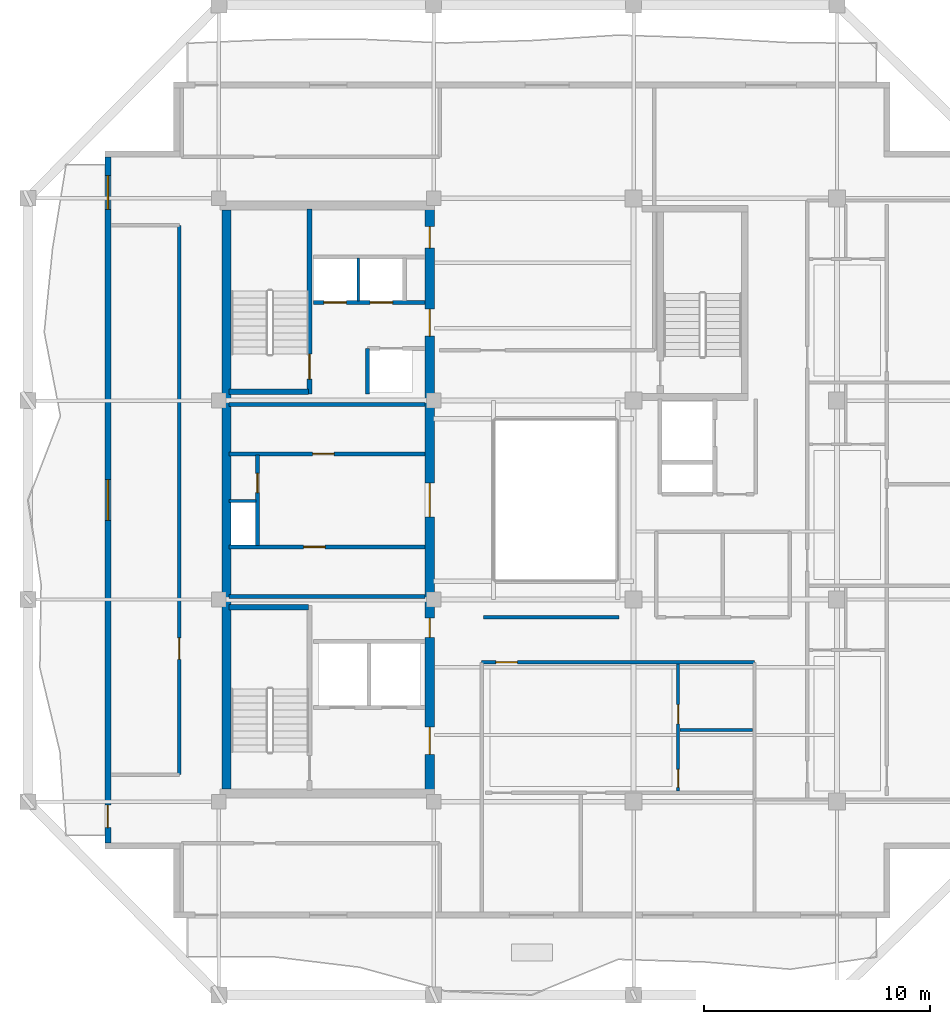
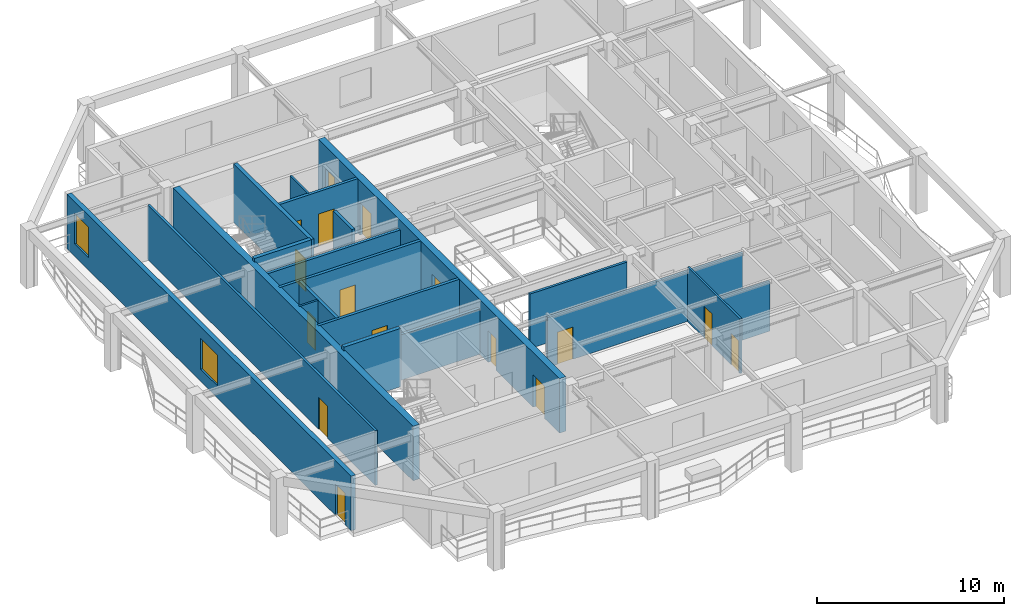
# One storey, part 3 of 10: 20 walls, 16 doors, 2 windows, 18 openings.
"""IFC4 building model written with IfcOpenShell, lengths in metres."""

import ifcopenshell
import ifcopenshell.guid

model = None  # the IFC model being written
_history = None  # IfcOwnerHistory: only IFC2X3 demands one
_inside = {}  # id of a spatial element -> (the spatial element, [elements in it])
_under = {}  # id of a project, library or spatial element -> (it, [spatial elements below it])
_declared = {}  # id of a project -> (the project, [libraries it declares])
_typed = {}  # id of a type object -> (the type object, [elements of that type])
_made_of = {}  # id of a material, layer set ... -> (it, [elements and type objects made of it])


def new_model(schema):
    """Start an empty IFC model of exactly this schema.

    Asked for "IFC4X3", IfcOpenShell would pick the latest addendum, in which some entities
    have other attributes; the version numbers below select the first issue.
    IFC2X3 requires an IfcOwnerHistory on every rooted entity: one is made here for all.
    """
    global model, _history
    if schema == "IFC4X3":
        model = ifcopenshell.file(schema_version=(4, 3, 0, 0))
    else:
        model = ifcopenshell.file(schema=schema)
    _inside.clear()
    _under.clear()
    _declared.clear()
    _typed.clear()
    _made_of.clear()
    _history = None
    if model.schema == "IFC2X3":
        org = make("IfcOrganization", Name="unknown")
        user = make(
            "IfcPersonAndOrganization",
            ThePerson=make("IfcPerson", FamilyName="unknown"),
            TheOrganization=org,
        )
        app = make(
            "IfcApplication",
            ApplicationDeveloper=org,
            Version="unknown",
            ApplicationFullName="unknown",
            ApplicationIdentifier="unknown",
        )
        _history = make(
            "IfcOwnerHistory",
            OwningUser=user,
            OwningApplication=app,
            ChangeAction="ADDED",
            CreationDate=0,
        )
    return model


def make(cls, **values):
    """One entity of the class cls with the attributes given. An attribute that is None is left unset."""
    return model.create_entity(
        cls, **{name: value for name, value in values.items() if value is not None}
    )


def rooted(cls, **values):
    """An entity with a GlobalId (a new one), such as an element, a storey or a relation."""
    return make(cls, GlobalId=ifcopenshell.guid.new(), OwnerHistory=_history, **values)


def si_unit(unit_type, name, prefix=None):
    """IfcSIUnit, for example si_unit("LENGTHUNIT", "METRE", prefix="MILLI")."""
    return make("IfcSIUnit", UnitType=unit_type, Prefix=prefix, Name=name)


def assignment(units):
    """IfcUnitAssignment: the units of a project."""
    return None if units is None else make("IfcUnitAssignment", Units=units)


def point(xyz):
    """IfcCartesianPoint."""
    return None if xyz is None else make("IfcCartesianPoint", Coordinates=xyz)


def direction(xyz):
    """IfcDirection."""
    return None if xyz is None else make("IfcDirection", DirectionRatios=xyz)


def frame(location, z_axis=None, x_axis=None):
    """IfcAxis2Placement3D, a coordinate frame: its origin and axes. An axis left out is left unset."""
    return make(
        "IfcAxis2Placement3D",
        Location=point(location),
        Axis=direction(z_axis),
        RefDirection=direction(x_axis),
    )


def frame_2d(location, x_axis=None):
    """IfcAxis2Placement2D, a coordinate frame in the plane: its origin and x axis."""
    return make(
        "IfcAxis2Placement2D", Location=point(location), RefDirection=direction(x_axis)
    )


def origin():
    """The frame at (0, 0, 0) with its axes left unset."""
    return frame((0.0, 0.0, 0.0))


def place(relative_to, where):
    """IfcLocalPlacement: puts the frame where relative to a parent placement (None: the world)."""
    return make(
        "IfcLocalPlacement", PlacementRelTo=relative_to, RelativePlacement=where
    )


def context(
    kind, dimensions, precision=None, world=None, true_north=None, identifier=None
):
    """IfcGeometricRepresentationContext, for example the 3D "Model" context."""
    return make(
        "IfcGeometricRepresentationContext",
        ContextIdentifier=identifier,
        ContextType=kind,
        CoordinateSpaceDimension=dimensions,
        Precision=precision,
        WorldCoordinateSystem=world,
        TrueNorth=true_north,
    )


def subcontext(parent, identifier, kind, view, scale=None):
    """IfcGeometricRepresentationSubContext, for example "Body" below "Model"."""
    return make(
        "IfcGeometricRepresentationSubContext",
        ContextIdentifier=identifier,
        ContextType=kind,
        ParentContext=parent,
        TargetScale=scale,
        TargetView=view,
    )


def project(units=None, contexts=None):
    """IfcProject with its units and contexts."""
    return rooted(
        "IfcProject",
        Name="project",
        RepresentationContexts=contexts,
        UnitsInContext=assignment(units),
    )


def spatial(cls, under=None, at=None, **own):
    """A site, building, storey or space (cls), placed at a placement, below another one or the project."""
    s = rooted(cls, ObjectPlacement=at, **own)
    if under is not None:
        _under.setdefault(under.id(), (under, []))[1].append(s)
    return s


def profile(cls, at=None, kind="AREA", **sizes):
    """A parametric profile (cls). Its sizes go by their IFC names, for example OverallWidth=200.0."""
    return make(cls, ProfileType=kind, Position=at, **sizes)


def rectangle(**sizes):
    """IfcRectangleProfileDef."""
    return profile("IfcRectangleProfileDef", **sizes)


def extrude(swept, where, along, depth):
    """IfcExtrudedAreaSolid: the profile swept, set in the frame where, extruded along a direction by depth."""
    return make(
        "IfcExtrudedAreaSolid",
        SweptArea=swept,
        Position=where,
        ExtrudedDirection=direction(along),
        Depth=depth,
    )


def shape(context_of_items, identifier, shape_type, items):
    """IfcShapeRepresentation: the items that make up one representation, for example the "Body"."""
    return make(
        "IfcShapeRepresentation",
        ContextOfItems=context_of_items,
        RepresentationIdentifier=identifier,
        RepresentationType=shape_type,
        Items=items,
    )


def material(Name=None, Category=None):
    """IfcMaterial."""
    return make("IfcMaterial", Name=Name, Category=Category)


def layer(
    of_material, thickness, ventilated=None, Name=None, Category=None, Priority=None
):
    """IfcMaterialLayer: one layer of a wall or slab, of a material (None: an air gap)."""
    return make(
        "IfcMaterialLayer",
        Material=of_material,
        LayerThickness=thickness,
        IsVentilated=ventilated,
        Name=Name,
        Category=Category,
        Priority=Priority,
    )


def layer_set(layers, Name=None):
    """IfcMaterialLayerSet."""
    return make("IfcMaterialLayerSet", MaterialLayers=layers, LayerSetName=Name)


def made_of(thing, what):
    """Note that an element or type object is made of a material, layer set ...; save() writes the relation."""
    if what is not None:
        _made_of.setdefault(what.id(), (what, []))[1].append(thing)
    return thing


def type_object(cls, material=None, **own):
    """A type object (cls), such as IfcWallType, which elements share."""
    return made_of(rooted(cls, **own), material)


def element(
    cls,
    number,
    at=None,
    inside=None,
    cuts=None,
    type_object=None,
    material=None,
    context=None,
    identifier="Body",
    shape_type=None,
    held_by="IfcProductDefinitionShape",
    body=None,
    shapes=None,
    **own,
):
    """One element of the class cls, such as IfcWall. Its Tag is "e" and its number.

    at: its placement. inside: the storey or other place that contains it. cuts: it is an
    opening in that element (IfcRelVoidsElement). A single representation is given by context,
    identifier, shape_type and body (its items); several are given by shapes. held_by: the class
    of the entity that holds the representations. save() writes the other relations.
    """
    e = rooted(cls, Tag="e%d" % number, ObjectPlacement=at, **own)
    if body is not None:
        shapes = [shape(context, identifier, shape_type, body)]
    if shapes is not None:
        e.Representation = make(held_by, Representations=shapes)
    if inside is not None:
        _inside.setdefault(inside.id(), (inside, []))[1].append(e)
    if cuts is not None:
        rooted(
            "IfcRelVoidsElement", RelatingBuildingElement=cuts, RelatedOpeningElement=e
        )
    if type_object is not None:
        _typed.setdefault(type_object.id(), (type_object, []))[1].append(e)
    return made_of(e, material)


def fill(opening, filler):
    """IfcRelFillsElement: the door or window that sits in an opening."""
    return rooted(
        "IfcRelFillsElement",
        RelatingOpeningElement=opening,
        RelatedBuildingElement=filler,
    )


def aggregate(whole, parts):
    """IfcRelAggregates: a whole, such as a stair, and the parts it consists of."""
    return rooted("IfcRelAggregates", RelatingObject=whole, RelatedObjects=parts)


def save(model, path):
    """Write the relations noted so far, then the file.

    IfcRelAggregates (storeys below a building ...), IfcRelContainedInSpatialStructure (elements
    in a storey), IfcRelDefinesByType, IfcRelAssociatesMaterial and IfcRelDeclares: one each for
    every whole, place, type object, material and project.
    """
    for whole, parts in _under.values():
        aggregate(whole, parts)
    for where, things in _inside.values():
        rooted(
            "IfcRelContainedInSpatialStructure",
            RelatedElements=things,
            RelatingStructure=where,
        )
    for kind, things in _typed.values():
        rooted("IfcRelDefinesByType", RelatedObjects=things, RelatingType=kind)
    for what, things in _made_of.values():
        rooted("IfcRelAssociatesMaterial", RelatedObjects=things, RelatingMaterial=what)
    for by, libraries in _declared.values():
        rooted("IfcRelDeclares", RelatingContext=by, RelatedDefinitions=libraries)
    model.write(path)


model = new_model("IFC4")

# Units and contexts
model_context = context("Model", 3, precision=1e-05, world=origin(), true_north=direction((0.0, 1.0)))
body_context = subcontext(model_context, "Body", "Model", "MODEL_VIEW")
ifc_project = project(units=[si_unit("LENGTHUNIT", "METRE"), si_unit("AREAUNIT", "SQUARE_METRE"), si_unit("VOLUMEUNIT", "CUBIC_METRE"), si_unit("PLANEANGLEUNIT", "RADIAN"), si_unit("MASSUNIT", "GRAM", prefix="KILO")], contexts=[model_context])

# Site, building, storey
site_placement = place(None, origin())
site = spatial("IfcSite", under=ifc_project, at=site_placement, CompositionType="ELEMENT")
building_placement = place(site_placement, origin())
building = spatial("IfcBuilding", under=site, at=building_placement, Name="Kundavana Baori Tower", CompositionType="ELEMENT")
storey_placement = place(building_placement, frame((0.0, 0.0, 316.300048828125)))
storey = spatial("IfcBuildingStorey", under=building, at=storey_placement, Name="L78", CompositionType="ELEMENT", Elevation=316.300048828125)

# Wall
ifc_material_1 = material(Name="Concrete C50/60", Category="concrete")
ifc_layer_1 = layer(ifc_material_1, 0.39990234375, Name="WL-CORE-400")
ifc_layer_set_1 = layer_set([ifc_layer_1], Name="Concrete C50/60")
wall_type_1 = type_object("IfcWallType", Name="WL-CORE-400", PredefinedType="SHEAR", material=ifc_layer_set_1)
wall_1_placement = place(storey_placement, frame((15.7900390625, 15.81005859375, 0.0), z_axis=(0.0, 0.0, 1.0), x_axis=(0.0, 1.0, 0.0)))
element("IfcWall", 1, at=wall_1_placement, inside=storey, type_object=wall_type_1, Name="L78 Offset Core West Shear Wall", PredefinedType="SHEAR", context=body_context, shape_type="SweptSolid", body=[
    extrude(rectangle(XDim=25.6298828125, YDim=0.39990234375, at=frame_2d((12.81494140625, 0.0))), origin(), (0.0, 0.0, 1.0), 3.56005859375),
])

# Wall, openings, doors
wall_2_placement = place(storey_placement, frame((24.780029296875, 15.739990234375, 0.0), z_axis=(0.0, 0.0, 1.0), x_axis=(0.0, 1.0, 0.0)))
wall_2 = element("IfcWall", 2, at=wall_2_placement, inside=storey, type_object=wall_type_1, Name="L78 Offset Core East Shear Wall", PredefinedType="SHEAR", context=body_context, shape_type="SweptSolid", body=[
    extrude(rectangle(XDim=25.760009765625, YDim=0.39990234375, at=frame_2d((12.8798828125, 0.0))), origin(), (0.0, 0.0, 1.0), 3.56005859375),
])
opening_1_placement = place(wall_2_placement, frame((1.610107421875, 0.0, 0.0)))
opening_1 = element("IfcOpeningElement", 3, at=opening_1_placement, cuts=wall_2, Name="Opening FD-120", PredefinedType="OPENING", context=body_context, shape_type="SweptSolid", body=[
    extrude(rectangle(XDim=1.199951171875, YDim=2.10009765625, at=frame_2d((0.60009765625, 1.050048828125))), frame((0.0, 0.2099609375, 0.0), z_axis=(0.0, -1.0, 0.0), x_axis=(1.0, 0.0, 0.0)), (0.0, 0.0, 1.0), 0.419921875),
])
opening_2_placement = place(wall_2_placement, frame((6.780029296875, 0.0, 0.0)))
opening_2 = element("IfcOpeningElement", 4, at=opening_2_placement, cuts=wall_2, Name="Opening FD-085", PredefinedType="OPENING", context=body_context, shape_type="SweptSolid", body=[
    extrude(rectangle(XDim=0.85009765625, YDim=2.06005859375, at=frame_2d((0.425048828125, 1.030029296875))), frame((0.0, 0.2099609375, 0.0), z_axis=(0.0, -1.0, 0.0), x_axis=(1.0, 0.0, 0.0)), (0.0, 0.0, 1.0), 0.419921875),
])
opening_3_placement = place(wall_2_placement, frame((12.110107421875, 0.0, 0.0)))
opening_3 = element("IfcOpeningElement", 5, at=opening_3_placement, cuts=wall_2, Name="Opening FD-150", PredefinedType="OPENING", context=body_context, shape_type="SweptSolid", body=[
    extrude(rectangle(XDim=1.5, YDim=2.1201171875, at=frame_2d((0.75, 1.06005859375))), frame((0.0, 0.2099609375, 0.0), z_axis=(0.0, -1.0, 0.0), x_axis=(1.0, 0.0, 0.0)), (0.0, 0.0, 1.0), 0.419921875),
])
opening_4_placement = place(wall_2_placement, frame((20.110107421875, 0.0, 0.0)))
opening_4 = element("IfcOpeningElement", 6, at=opening_4_placement, cuts=wall_2, Name="Opening FD-122", PredefinedType="OPENING", context=body_context, shape_type="SweptSolid", body=[
    extrude(rectangle(XDim=1.199951171875, YDim=2.1201171875, at=frame_2d((0.60009765625, 1.06005859375))), frame((0.0, 0.2099609375, 0.0), z_axis=(0.0, -1.0, 0.0), x_axis=(1.0, 0.0, 0.0)), (0.0, 0.0, 1.0), 0.419921875),
])
opening_5_placement = place(wall_2_placement, frame((24.010009765625, 0.0, 0.0)))
opening_5 = element("IfcOpeningElement", 7, at=opening_5_placement, cuts=wall_2, Name="Opening FD-095", PredefinedType="OPENING", context=body_context, shape_type="SweptSolid", body=[
    extrude(rectangle(XDim=0.949951171875, YDim=2.10009765625, at=frame_2d((0.47509765625, 1.050048828125))), frame((0.0, 0.2099609375, 0.0), z_axis=(0.0, -1.0, 0.0), x_axis=(1.0, 0.0, 0.0)), (0.0, 0.0, 1.0), 0.419921875),
])
ifc_material_2 = material(Name="Galvanised Steel Fire-Rated Door Leaf", Category="steel")
door_type_1 = type_object("IfcDoorType", Name="DR-FD120-1200", OperationType="NOTDEFINED", PredefinedType="DOOR", material=ifc_material_2)
door_1_placement = place(opening_1_placement, frame((1.199951171875, 0.0, 0.0), z_axis=(0.0, 0.0, 1.0), x_axis=(-1.0, 0.0, 0.0)))
door_1 = element("IfcDoor", 8, at=door_1_placement, inside=storey, type_object=door_type_1, Name="DR-L78-FFLOB-E", OperationType="SINGLE_SWING_RIGHT", OverallHeight=2.10009765625, OverallWidth=1.199951171875, PredefinedType="DOOR", context=body_context, shape_type="SweptSolid", body=[
    extrude(rectangle(XDim=1.199951171875, YDim=2.10009765625, at=frame_2d((0.60009765625, 1.050048828125))), frame((0.0, 0.02490234375, 0.0), z_axis=(0.0, -1.0, 0.0), x_axis=(1.0, 0.0, 0.0)), (0.0, 0.0, 1.0), 0.050048828125),
])
fill(opening_1, door_1)
ifc_material_3 = material(Name="Galvanised Steel Fire-Rated Door Leaf", Category="steel")
door_type_2 = type_object("IfcDoorType", Name="DR-FD60-1200", OperationType="NOTDEFINED", PredefinedType="DOOR", material=ifc_material_3)
door_2_placement = place(opening_4_placement, frame((1.199951171875, 0.0, 0.0), z_axis=(0.0, 0.0, 1.0), x_axis=(-1.0, 0.0, 0.0)))
door_2 = element("IfcDoor", 9, at=door_2_placement, inside=storey, type_object=door_type_2, Name="DR-L78-HRLOB-E", OperationType="SINGLE_SWING_RIGHT", OverallHeight=2.1201171875, OverallWidth=1.199951171875, PredefinedType="DOOR", context=body_context, shape_type="SweptSolid", body=[
    extrude(rectangle(XDim=1.199951171875, YDim=2.1201171875, at=frame_2d((0.60009765625, 1.06005859375))), frame((0.0, 0.02490234375, 0.0), z_axis=(0.0, -1.0, 0.0), x_axis=(1.0, 0.0, 0.0)), (0.0, 0.0, 1.0), 0.050048828125),
])
fill(opening_4, door_2)
ifc_material_4 = material(Name="Galvanised Steel Fire-Rated Door Leaf", Category="steel")
door_type_3 = type_object("IfcDoorType", Name="DR-FD60-1500", OperationType="NOTDEFINED", PredefinedType="DOOR", material=ifc_material_4)
door_3_placement = place(opening_3_placement, frame((1.5, 0.0, 0.0), z_axis=(0.0, 0.0, 1.0), x_axis=(-1.0, 0.0, 0.0)))
door_3 = element("IfcDoor", 10, at=door_3_placement, inside=storey, type_object=door_type_3, Name="DR-L78-LIFTHALL-E", OperationType="SINGLE_SWING_LEFT", OverallHeight=2.1201171875, OverallWidth=1.5, PredefinedType="DOOR", context=body_context, shape_type="SweptSolid", body=[
    extrude(rectangle(XDim=1.5, YDim=2.1201171875, at=frame_2d((0.75, 1.06005859375))), frame((0.0, 0.02490234375, 0.0), z_axis=(0.0, -1.0, 0.0), x_axis=(1.0, 0.0, 0.0)), (0.0, 0.0, 1.0), 0.050048828125),
])
fill(opening_3, door_3)
ifc_material_5 = material(Name="Galvanised Steel Fire-Rated Door Leaf", Category="steel")
door_type_4 = type_object("IfcDoorType", Name="DR-FD60-850", OperationType="NOTDEFINED", PredefinedType="DOOR", material=ifc_material_5)
door_4_placement = place(opening_2_placement, frame((0.85009765625, 0.0, 0.0), z_axis=(0.0, 0.0, 1.0), x_axis=(-1.0, 0.0, 0.0)))
door_4 = element("IfcDoor", 11, at=door_4_placement, inside=storey, type_object=door_type_4, Name="DR-L78-CSMK1", OperationType="SINGLE_SWING_LEFT", OverallHeight=2.06005859375, OverallWidth=0.85009765625, PredefinedType="DOOR", context=body_context, shape_type="SweptSolid", body=[
    extrude(rectangle(XDim=0.85009765625, YDim=2.06005859375, at=frame_2d((0.425048828125, 1.030029296875))), frame((0.0, 0.02490234375, 0.0), z_axis=(0.0, -1.0, 0.0), x_axis=(1.0, 0.0, 0.0)), (0.0, 0.0, 1.0), 0.050048828125),
])
fill(opening_2, door_4)
ifc_material_6 = material(Name="Engineered Teak Fire-Rated Timber Door Leaf", Category="wood")
door_type_5 = type_object("IfcDoorType", Name="DR-FD60-950", OperationType="NOTDEFINED", PredefinedType="DOOR", material=ifc_material_6)
door_5_placement = place(opening_5_placement, frame((0.949951171875, 0.0, 0.0), z_axis=(0.0, 0.0, 1.0), x_axis=(-1.0, 0.0, 0.0)))
door_5 = element("IfcDoor", 12, at=door_5_placement, inside=storey, type_object=door_type_5, Name="DR-L78-CSRV1", OperationType="SINGLE_SWING_LEFT", OverallHeight=2.10009765625, OverallWidth=0.949951171875, PredefinedType="DOOR", context=body_context, shape_type="SweptSolid", body=[
    extrude(rectangle(XDim=0.949951171875, YDim=2.10009765625, at=frame_2d((0.47509765625, 1.050048828125))), frame((0.0, 0.02490234375, 0.0), z_axis=(0.0, -1.0, 0.0), x_axis=(1.0, 0.0, 0.0)), (0.0, 0.0, 1.0), 0.050048828125),
])
fill(opening_5, door_5)

# Wall
wall_3_placement = place(storey_placement, frame((15.89990234375, 23.860107421875, 0.0), z_axis=(0.0, 0.0, 1.0), x_axis=(1.0, 0.0, 0.0)))
element("IfcWall", 13, at=wall_3_placement, inside=storey, type_object=wall_type_1, Name="WL-L78-ST1-N", PredefinedType="SHEAR", context=body_context, shape_type="SweptSolid", body=[
    extrude(rectangle(XDim=3.52001953125, YDim=0.239990234375, at=frame_2d((1.760009765625, 0.0))), origin(), (0.0, 0.0, 1.0), 3.800048828125),
])

# Wall, opening, door
wall_4_placement = place(storey_placement, frame((19.4599609375, 33.300048828125, 0.0), z_axis=(0.0, 0.0, 1.0), x_axis=(0.0, 1.0, 0.0)))
wall_4 = element("IfcWall", 14, at=wall_4_placement, inside=storey, type_object=wall_type_1, Name="WL-L78-ST2-E", PredefinedType="SHEAR", context=body_context, shape_type="SweptSolid", body=[
    extrude(rectangle(XDim=8.179931640625, YDim=0.239990234375, at=frame_2d((4.08984375, 0.0))), origin(), (0.0, 0.0, 1.0), 3.800048828125),
])
opening_6_placement = place(wall_4_placement, frame((0.64990234375, 0.0, 0.0)))
opening_6 = element("IfcOpeningElement", 15, at=opening_6_placement, cuts=wall_4, Name="Opening FD-110", PredefinedType="OPENING", context=body_context, shape_type="SweptSolid", body=[
    extrude(rectangle(XDim=1.10009765625, YDim=2.10009765625, at=frame_2d((0.550048828125, 1.050048828125))), frame((0.0, 0.1298828125, 0.0), z_axis=(0.0, -1.0, 0.0), x_axis=(1.0, 0.0, 0.0)), (0.0, 0.0, 1.0), 0.260009765625),
])
ifc_material_7 = material(Name="Galvanised Steel Fire-Rated Door Leaf", Category="steel")
door_type_6 = type_object("IfcDoorType", Name="DR-FD120-1100", OperationType="NOTDEFINED", PredefinedType="DOOR", material=ifc_material_7)
door_6_placement = place(opening_6_placement, origin())
door_6 = element("IfcDoor", 16, at=door_6_placement, inside=storey, type_object=door_type_6, Name="DR-L78-ST2", OperationType="SINGLE_SWING_RIGHT", OverallHeight=2.10009765625, OverallWidth=1.10009765625, PredefinedType="DOOR", context=body_context, shape_type="SweptSolid", body=[
    extrude(rectangle(XDim=1.10009765625, YDim=2.10009765625, at=frame_2d((0.550048828125, 1.050048828125))), frame((0.0, 0.02490234375, 0.0), z_axis=(0.0, -1.0, 0.0), x_axis=(1.0, 0.0, 0.0)), (0.0, 0.0, 1.0), 0.050048828125),
])
fill(opening_6, door_6)

# Wall
wall_5_placement = place(storey_placement, frame((15.89990234375, 33.389892578125, 0.0), z_axis=(0.0, 0.0, 1.0), x_axis=(1.0, 0.0, 0.0)))
element("IfcWall", 17, at=wall_5_placement, inside=storey, type_object=wall_type_1, Name="WL-L78-ST2-S", PredefinedType="SHEAR", context=body_context, shape_type="SweptSolid", body=[
    extrude(rectangle(XDim=3.52001953125, YDim=0.239990234375, at=frame_2d((1.760009765625, 0.0))), origin(), (0.0, 0.0, 1.0), 3.800048828125),
])

# Wall, openings, door, windows
ifc_material_8 = material(Name="Red-Buff Dholpur Sandstone Cladding on Concrete C40/50", Category="masonry")
ifc_layer_2 = layer(ifc_material_8, 0.280029296875, Name="WL-EXT-SAND-280")
ifc_layer_set_2 = layer_set([ifc_layer_2], Name="Red-Buff Dholpur Sandstone Cladding on Concrete C40/50")
wall_type_2 = type_object("IfcWallType", Name="WL-EXT-SAND-280", PredefinedType="STANDARD", material=ifc_layer_set_2)
wall_6_placement = place(storey_placement, frame((10.5400390625, 43.77001953125, 0.0), z_axis=(0.0, 0.0, 1.0), x_axis=(0.0, -1.0, 0.0)))
wall_6 = element("IfcWall", 18, at=wall_6_placement, inside=storey, type_object=wall_type_2, Name="L78 Exterior Insulated Facade Wall 10", PredefinedType="STANDARD", context=body_context, shape_type="SweptSolid", body=[
    extrude(rectangle(XDim=30.340087890625, YDim=0.280029296875, at=frame_2d((15.169921875, 0.0))), origin(), (0.0, 0.0, 1.0), 3.56005859375),
])
opening_7_placement = place(wall_6_placement, frame((28.669921875, 0.0, 0.0)))
opening_7 = element("IfcOpeningElement", 19, at=opening_7_placement, cuts=wall_6, Name="Opening BD-1", PredefinedType="OPENING", context=body_context, shape_type="SweptSolid", body=[
    extrude(rectangle(XDim=1.0, YDim=2.050048828125, at=frame_2d((0.5, 1.02490234375))), frame((0.0, 0.14990234375, 0.0), z_axis=(0.0, -1.0, 0.0), x_axis=(1.0, 0.0, 0.0)), (0.0, 0.0, 1.0), 0.300048828125),
])
opening_8_placement = place(wall_6_placement, frame((14.27001953125, 0.0, 0.800048828125)))
opening_8 = element("IfcOpeningElement", 20, at=opening_8_placement, cuts=wall_6, Name="Opening W-01", PredefinedType="OPENING", context=body_context, shape_type="SweptSolid", body=[
    extrude(rectangle(XDim=1.800048828125, YDim=2.0, at=frame_2d((0.89990234375, 1.0))), frame((0.0, 0.14990234375, 0.0), z_axis=(0.0, -1.0, 0.0), x_axis=(1.0, 0.0, 0.0)), (0.0, 0.0, 1.0), 0.300048828125),
])
opening_9_placement = place(wall_6_placement, frame((0.81494140625, 0.0, 0.800048828125)))
opening_9 = element("IfcOpeningElement", 21, at=opening_9_placement, cuts=wall_6, Name="Opening W-02", PredefinedType="OPENING", context=body_context, shape_type="SweptSolid", body=[
    extrude(rectangle(XDim=1.5, YDim=2.0, at=frame_2d((0.75, 1.0))), frame((0.0, 0.14990234375, 0.0), z_axis=(0.0, -1.0, 0.0), x_axis=(1.0, 0.0, 0.0)), (0.0, 0.0, 1.0), 0.300048828125),
])
ifc_material_9 = material(Name="Architectural Patinated Bronze Metalwork")
door_type_7 = type_object("IfcDoorType", Name="DR-EXT-LOG-1000", OperationType="NOTDEFINED", PredefinedType="DOOR", material=ifc_material_9)
door_7_placement = place(opening_7_placement, frame((1.0, 0.0, 0.0), z_axis=(0.0, 0.0, 1.0), x_axis=(-1.0, 0.0, 0.0)))
door_7 = element("IfcDoor", 22, at=door_7_placement, inside=storey, type_object=door_type_7, Name="L78 Loggia Balcony Access Door W", OperationType="SINGLE_SWING_RIGHT", OverallHeight=2.050048828125, OverallWidth=1.0, PredefinedType="DOOR", context=body_context, shape_type="SweptSolid", body=[
    extrude(rectangle(XDim=1.0, YDim=2.050048828125, at=frame_2d((0.5, 1.02490234375))), frame((0.0, 0.02490234375, 0.0), z_axis=(0.0, -1.0, 0.0), x_axis=(1.0, 0.0, 0.0)), (0.0, 0.0, 1.0), 0.050048828125),
])
fill(opening_7, door_7)
ifc_material_10 = material(Name="Double-Glazed Solar-Control Low-E Insulated Glass", Category="glass")
window_type_1 = type_object("IfcWindowType", Name="WIN-LOG-1500x2000", PartitioningType="SINGLE_PANEL", PredefinedType="WINDOW", material=ifc_material_10)
window_1_placement = place(opening_9_placement, origin())
window_1 = element("IfcWindow", 23, at=window_1_placement, inside=storey, type_object=window_type_1, Name="L78 Recessed Loggia Window W-3", OverallHeight=2.0, OverallWidth=1.5, PartitioningType="SINGLE_PANEL", PredefinedType="WINDOW", context=body_context, shape_type="SweptSolid", body=[
    extrude(rectangle(XDim=1.5, YDim=2.0, at=frame_2d((0.75, 1.0))), frame((0.0, 0.030029296875, 0.0), z_axis=(0.0, -1.0, 0.0), x_axis=(1.0, 0.0, 0.0)), (0.0, 0.0, 1.0), 0.06005859375),
])
fill(opening_9, window_1)
ifc_material_11 = material(Name="Double-Glazed Solar-Control Low-E Insulated Glass", Category="glass")
window_type_2 = type_object("IfcWindowType", Name="WIN-LOG-1800x2000", PartitioningType="SINGLE_PANEL", PredefinedType="WINDOW", material=ifc_material_11)
window_2_placement = place(opening_8_placement, origin())
window_2 = element("IfcWindow", 24, at=window_2_placement, inside=storey, type_object=window_type_2, Name="L78 Recessed Loggia Window W-2", OverallHeight=2.0, OverallWidth=1.800048828125, PartitioningType="SINGLE_PANEL", PredefinedType="WINDOW", context=body_context, shape_type="SweptSolid", body=[
    extrude(rectangle(XDim=1.800048828125, YDim=2.0, at=frame_2d((0.89990234375, 1.0))), frame((0.0, 0.030029296875, 0.0), z_axis=(0.0, -1.0, 0.0), x_axis=(1.0, 0.0, 0.0)), (0.0, 0.0, 1.0), 0.06005859375),
])
fill(opening_8, window_2)

# Walls
ifc_material_12 = material(Name="Acoustic Gypsum Plasterboard on Galvanised Steel Studs", Category="steel")
ifc_layer_3 = layer(ifc_material_12, 0.1201171875, Name="WL-PART-120")
ifc_layer_set_3 = layer_set([ifc_layer_3], Name="Acoustic Gypsum Plasterboard on Galvanised Steel Studs")
wall_type_3 = type_object("IfcWallType", Name="WL-PART-120", PredefinedType="PARTITIONING", material=ifc_layer_set_3)
wall_7_placement = place(storey_placement, frame((15.89990234375, 28.56005859375, 0.0), z_axis=(0.0, 0.0, 1.0), x_axis=(1.0, 0.0, 0.0)))
element("IfcWall", 25, at=wall_7_placement, inside=storey, type_object=wall_type_3, Name="WL-L78-RSRW-N", PredefinedType="PARTITIONING", context=body_context, shape_type="SweptSolid", body=[
    extrude(rectangle(XDim=1.2001953125, YDim=0.1201171875, at=frame_2d((0.60009765625, 0.0))), origin(), (0.0, 0.0, 1.0), 3.56005859375),
])
wall_8_placement = place(storey_placement, frame((21.6201171875, 37.39990234375, 0.0), z_axis=(0.0, 0.0, 1.0), x_axis=(0.0, 1.0, 0.0)))
element("IfcWall", 26, at=wall_8_placement, inside=storey, type_object=wall_type_3, Name="WL-L78-HR-DIV1", PredefinedType="PARTITIONING", context=body_context, shape_type="SweptSolid", body=[
    extrude(rectangle(XDim=1.900146484375, YDim=0.1201171875, at=frame_2d((0.9501953125, 0.0))), origin(), (0.0, 0.0, 1.0), 3.56005859375),
])

# Wall, opening, door
ifc_material_13 = material(Name="Fire-Rated Gypsum Drywall on Galvanised Steel Studs", Category="steel")
ifc_layer_4 = layer(ifc_material_13, 0.14990234375, Name="WL-PART-150")
ifc_layer_set_4 = layer_set([ifc_layer_4], Name="Fire-Rated Gypsum Drywall on Galvanised Steel Studs")
wall_type_4 = type_object("IfcWallType", Name="WL-PART-150", PredefinedType="PARTITIONING", material=ifc_layer_set_4)
wall_9_placement = place(storey_placement, frame((27.080078125, 21.419921875, 0.0), z_axis=(0.0, 0.0, 1.0), x_axis=(1.0, 0.0, 0.0)))
wall_9 = element("IfcWall", 27, at=wall_9_placement, inside=storey, type_object=wall_type_4, Name="WL-L78-RS", PredefinedType="PARTITIONING", context=body_context, shape_type="SweptSolid", body=[
    extrude(rectangle(XDim=12.06982421875, YDim=0.14990234375, at=frame_2d((6.034912109375, 0.0))), origin(), (0.0, 0.0, 1.0), 3.260009765625),
])
opening_10_placement = place(wall_9_placement, frame((0.6298828125, 0.0, 0.0)))
opening_10 = element("IfcOpeningElement", 28, at=opening_10_placement, cuts=wall_9, Name="Opening FD-095", PredefinedType="OPENING", context=body_context, shape_type="SweptSolid", body=[
    extrude(rectangle(XDim=0.949951171875, YDim=2.10009765625, at=frame_2d((0.47509765625, 1.050048828125))), frame((0.0, 0.0849609375, 0.0), z_axis=(0.0, -1.0, 0.0), x_axis=(1.0, 0.0, 0.0)), (0.0, 0.0, 1.0), 0.169921875),
])
door_8_placement = place(opening_10_placement, frame((0.949951171875, 0.0, 0.0), z_axis=(0.0, 0.0, 1.0), x_axis=(-1.0, 0.0, 0.0)))
door_8 = element("IfcDoor", 29, at=door_8_placement, inside=storey, type_object=door_type_5, Name="DR-L78-S1-ENT", OperationType="SINGLE_SWING_RIGHT", OverallHeight=2.10009765625, OverallWidth=0.949951171875, PredefinedType="DOOR", context=body_context, shape_type="SweptSolid", body=[
    extrude(rectangle(XDim=0.949951171875, YDim=2.10009765625, at=frame_2d((0.47509765625, 1.050048828125))), frame((0.0, 0.02490234375, 0.0), z_axis=(0.0, -1.0, 0.0), x_axis=(1.0, 0.0, 0.0)), (0.0, 0.0, 1.0), 0.050048828125),
])
fill(opening_10, door_8)

# Wall
wall_10_placement = place(storey_placement, frame((27.14990234375, 23.419921875, 0.0), z_axis=(0.0, 0.0, 1.0), x_axis=(1.0, 0.0, 0.0)))
element("IfcWall", 30, at=wall_10_placement, inside=storey, type_object=wall_type_4, Name="WL-L78-RST", PredefinedType="PARTITIONING", context=body_context, shape_type="SweptSolid", body=[
    extrude(rectangle(XDim=6.0, YDim=0.14990234375, at=frame_2d((3.0, 0.0))), origin(), (0.0, 0.0, 1.0), 3.56005859375),
])

# Wall, opening, door
wall_11_placement = place(storey_placement, frame((13.699951171875, 16.449951171875, 0.0), z_axis=(0.0, 0.0, 1.0), x_axis=(0.0, 1.0, 0.0)))
wall_11 = element("IfcWall", 31, at=wall_11_placement, inside=storey, type_object=wall_type_4, Name="WL-L78-RW", PredefinedType="PARTITIONING", context=body_context, shape_type="SweptSolid", body=[
    extrude(rectangle(XDim=24.300048828125, YDim=0.14990234375, at=frame_2d((12.14990234375, 0.0))), origin(), (0.0, 0.0, 1.0), 3.56005859375),
])
opening_11_placement = place(wall_11_placement, frame((5.10009765625, 0.0, 0.0)))
opening_11 = element("IfcOpeningElement", 32, at=opening_11_placement, cuts=wall_11, Name="Opening ID-095", PredefinedType="OPENING", context=body_context, shape_type="SweptSolid", body=[
    extrude(rectangle(XDim=0.949951171875, YDim=2.080078125, at=frame_2d((0.47509765625, 1.0400390625))), frame((0.0, 0.0849609375, 0.0), z_axis=(0.0, -1.0, 0.0), x_axis=(1.0, 0.0, 0.0)), (0.0, 0.0, 1.0), 0.169921875),
])
ifc_material_14 = material(Name="Engineered Teak Solid-Core Timber Veneer", Category="wood")
door_type_8 = type_object("IfcDoorType", Name="DR-INT-950", OperationType="NOTDEFINED", PredefinedType="DOOR", material=ifc_material_14)
door_9_placement = place(opening_11_placement, origin())
door_9 = element("IfcDoor", 33, at=door_9_placement, inside=storey, type_object=door_type_8, Name="DR-L78-RLNGW", OperationType="SINGLE_SWING_LEFT", OverallHeight=2.080078125, OverallWidth=0.949951171875, PredefinedType="DOOR", context=body_context, shape_type="SweptSolid", body=[
    extrude(rectangle(XDim=0.949951171875, YDim=2.080078125, at=frame_2d((0.47509765625, 1.0400390625))), frame((0.0, 0.02490234375, 0.0), z_axis=(0.0, -1.0, 0.0), x_axis=(1.0, 0.0, 0.0)), (0.0, 0.0, 1.0), 0.050048828125),
])
fill(opening_11, door_9)

ifc_material_15 = material(Name="Autoclaved Aerated Concrete Blockwork Masonry", Category="masonry")
ifc_layer_5 = layer(ifc_material_15, 0.179931640625, Name="WL-SHAFT-180")
ifc_layer_set_5 = layer_set([ifc_layer_5], Name="Autoclaved Aerated Concrete Blockwork Masonry")
wall_type_5 = type_object("IfcWallType", Name="WL-SHAFT-180", PredefinedType="SOLIDWALL", material=ifc_layer_set_5)
wall_12_placement = place(storey_placement, frame((15.89990234375, 26.52001953125, 0.0), z_axis=(0.0, 0.0, 1.0), x_axis=(1.0, 0.0, 0.0)))
wall_12 = element("IfcWall", 34, at=wall_12_placement, inside=storey, type_object=wall_type_5, Name="WL-L78-LPLOW-N", PredefinedType="SOLIDWALL", context=body_context, shape_type="SweptSolid", body=[
    extrude(rectangle(XDim=8.68017578125, YDim=0.179931640625, at=frame_2d((4.340087890625, 0.0))), origin(), (0.0, 0.0, 1.0), 3.56005859375),
])
opening_12_placement = place(wall_12_placement, frame((3.300048828125, 0.0, 0.0)))
opening_12 = element("IfcOpeningElement", 35, at=opening_12_placement, cuts=wall_12, Name="Opening FD-095", PredefinedType="OPENING", context=body_context, shape_type="SweptSolid", body=[
    extrude(rectangle(XDim=0.949951171875, YDim=2.10009765625, at=frame_2d((0.47509765625, 1.050048828125))), frame((0.0, 0.10009765625, 0.0), z_axis=(0.0, -1.0, 0.0), x_axis=(1.0, 0.0, 0.0)), (0.0, 0.0, 1.0), 0.199951171875),
])
door_10_placement = place(opening_12_placement, origin())
door_10 = element("IfcDoor", 36, at=door_10_placement, inside=storey, type_object=door_type_5, Name="DR-L78-FRLOW1", OperationType="SINGLE_SWING_LEFT", OverallHeight=2.10009765625, OverallWidth=0.949951171875, PredefinedType="DOOR", context=body_context, shape_type="SweptSolid", body=[
    extrude(rectangle(XDim=0.949951171875, YDim=2.10009765625, at=frame_2d((0.47509765625, 1.050048828125))), frame((0.0, 0.02490234375, 0.0), z_axis=(0.0, -1.0, 0.0), x_axis=(1.0, 0.0, 0.0)), (0.0, 0.0, 1.0), 0.050048828125),
])
fill(opening_12, door_10)

# Wall
wall_13_placement = place(storey_placement, frame((15.89990234375, 24.330078125, 0.0), z_axis=(0.0, 0.0, 1.0), x_axis=(1.0, 0.0, 0.0)))
element("IfcWall", 37, at=wall_13_placement, inside=storey, type_object=wall_type_5, Name="WL-L78-LPLOW-S", PredefinedType="SOLIDWALL", context=body_context, shape_type="SweptSolid", body=[
    extrude(rectangle(XDim=8.68017578125, YDim=0.179931640625, at=frame_2d((4.340087890625, 0.0))), origin(), (0.0, 0.0, 1.0), 2.9599609375),
])

# Wall, opening, door
wall_14_placement = place(storey_placement, frame((17.159912109375, 26.580078125, 0.0), z_axis=(0.0, 0.0, 1.0), x_axis=(0.0, 1.0, 0.0)))
wall_14 = element("IfcWall", 38, at=wall_14_placement, inside=storey, type_object=wall_type_5, Name="WL-L78-RSRW-E", PredefinedType="SOLIDWALL", context=body_context, shape_type="SweptSolid", body=[
    extrude(rectangle(XDim=4.02001953125, YDim=0.179931640625, at=frame_2d((2.010009765625, 0.0))), origin(), (0.0, 0.0, 1.0), 3.56005859375),
])
opening_13_placement = place(wall_14_placement, frame((2.35009765625, 0.0, 0.0)))
opening_13 = element("IfcOpeningElement", 39, at=opening_13_placement, cuts=wall_14, Name="Opening FD-085", PredefinedType="OPENING", context=body_context, shape_type="SweptSolid", body=[
    extrude(rectangle(XDim=0.85009765625, YDim=2.06005859375, at=frame_2d((0.425048828125, 1.030029296875))), frame((0.0, 0.10009765625, 0.0), z_axis=(0.0, -1.0, 0.0), x_axis=(1.0, 0.0, 0.0)), (0.0, 0.0, 1.0), 0.199951171875),
])
door_11_placement = place(opening_13_placement, origin())
door_11 = element("IfcDoor", 40, at=door_11_placement, inside=storey, type_object=door_type_4, Name="DR-L78-CLN", OperationType="SINGLE_SWING_RIGHT", OverallHeight=2.06005859375, OverallWidth=0.85009765625, PredefinedType="DOOR", context=body_context, shape_type="SweptSolid", body=[
    extrude(rectangle(XDim=0.85009765625, YDim=2.06005859375, at=frame_2d((0.425048828125, 1.030029296875))), frame((0.0, 0.02490234375, 0.0), z_axis=(0.0, -1.0, 0.0), x_axis=(1.0, 0.0, 0.0)), (0.0, 0.0, 1.0), 0.050048828125),
])
fill(opening_13, door_11)

wall_15_placement = place(storey_placement, frame((15.89990234375, 30.639892578125, 0.0), z_axis=(0.0, 0.0, 1.0), x_axis=(1.0, 0.0, 0.0)))
wall_15 = element("IfcWall", 41, at=wall_15_placement, inside=storey, type_object=wall_type_5, Name="WL-L78-LPMID-S", PredefinedType="SOLIDWALL", context=body_context, shape_type="SweptSolid", body=[
    extrude(rectangle(XDim=8.68017578125, YDim=0.179931640625, at=frame_2d((4.340087890625, 0.0))), origin(), (0.0, 0.0, 1.0), 3.56005859375),
])
opening_14_placement = place(wall_15_placement, frame((3.699951171875, 0.0, 0.0)))
opening_14 = element("IfcOpeningElement", 42, at=opening_14_placement, cuts=wall_15, Name="Opening FD-095", PredefinedType="OPENING", context=body_context, shape_type="SweptSolid", body=[
    extrude(rectangle(XDim=0.949951171875, YDim=2.10009765625, at=frame_2d((0.47509765625, 1.050048828125))), frame((0.0, 0.10009765625, 0.0), z_axis=(0.0, -1.0, 0.0), x_axis=(1.0, 0.0, 0.0)), (0.0, 0.0, 1.0), 0.199951171875),
])
door_12_placement = place(opening_14_placement, frame((0.949951171875, 0.0, 0.0), z_axis=(0.0, 0.0, 1.0), x_axis=(-1.0, 0.0, 0.0)))
door_12 = element("IfcDoor", 43, at=door_12_placement, inside=storey, type_object=door_type_5, Name="DR-L78-FRMID1", OperationType="SINGLE_SWING_RIGHT", OverallHeight=2.10009765625, OverallWidth=0.949951171875, PredefinedType="DOOR", context=body_context, shape_type="SweptSolid", body=[
    extrude(rectangle(XDim=0.949951171875, YDim=2.10009765625, at=frame_2d((0.47509765625, 1.050048828125))), frame((0.0, 0.02490234375, 0.0), z_axis=(0.0, -1.0, 0.0), x_axis=(1.0, 0.0, 0.0)), (0.0, 0.0, 1.0), 0.050048828125),
])
fill(opening_14, door_12)

# Walls
wall_16_placement = place(storey_placement, frame((15.89990234375, 32.820068359375, 0.0), z_axis=(0.0, 0.0, 1.0), x_axis=(1.0, 0.0, 0.0)))
element("IfcWall", 44, at=wall_16_placement, inside=storey, type_object=wall_type_5, Name="WL-L78-LPMID-N", PredefinedType="SOLIDWALL", context=body_context, shape_type="SweptSolid", body=[
    extrude(rectangle(XDim=8.68017578125, YDim=0.179931640625, at=frame_2d((4.340087890625, 0.0))), origin(), (0.0, 0.0, 1.0), 2.9599609375),
])
wall_17_placement = place(storey_placement, frame((22.02001953125, 33.300048828125, 0.0), z_axis=(0.0, 0.0, 1.0), x_axis=(0.0, 1.0, 0.0)))
element("IfcWall", 45, at=wall_17_placement, inside=storey, type_object=wall_type_5, Name="WL-L78-LP11-W", PredefinedType="SOLIDWALL", context=body_context, shape_type="SweptSolid", body=[
    extrude(rectangle(XDim=2.010009765625, YDim=0.179931640625, at=frame_2d((1.0048828125, 0.0))), origin(), (0.0, 0.0, 1.0), 3.56005859375),
])

# Wall, openings, doors
wall_18_placement = place(storey_placement, frame((19.639892578125, 37.340087890625, 0.0), z_axis=(0.0, 0.0, 1.0), x_axis=(1.0, 0.0, 0.0)))
wall_18 = element("IfcWall", 46, at=wall_18_placement, inside=storey, type_object=wall_type_5, Name="WL-L78-HRLOB-N", PredefinedType="SOLIDWALL", context=body_context, shape_type="SweptSolid", body=[
    extrude(rectangle(XDim=4.940185546875, YDim=0.179931640625, at=frame_2d((2.47021484375, 0.0))), origin(), (0.0, 0.0, 1.0), 3.56005859375),
])
opening_15_placement = place(wall_18_placement, frame((0.449951171875, 0.0, 0.0)))
opening_15 = element("IfcOpeningElement", 47, at=opening_15_placement, cuts=wall_18, Name="Opening LD-100", PredefinedType="OPENING", context=body_context, shape_type="SweptSolid", body=[
    extrude(rectangle(XDim=1.0, YDim=2.10009765625, at=frame_2d((0.5, 1.050048828125))), frame((0.0, 0.10009765625, 0.0), z_axis=(0.0, -1.0, 0.0), x_axis=(1.0, 0.0, 0.0)), (0.0, 0.0, 1.0), 0.199951171875),
])
opening_16_placement = place(wall_18_placement, frame((2.5, 0.0, 0.0)))
opening_16 = element("IfcOpeningElement", 48, at=opening_16_placement, cuts=wall_18, Name="Opening LD-100", PredefinedType="OPENING", context=body_context, shape_type="SweptSolid", body=[
    extrude(rectangle(XDim=1.0, YDim=2.10009765625, at=frame_2d((0.5, 1.050048828125))), frame((0.0, 0.10009765625, 0.0), z_axis=(0.0, -1.0, 0.0), x_axis=(1.0, 0.0, 0.0)), (0.0, 0.0, 1.0), 0.199951171875),
])
ifc_material_16 = material(Name="Galvanised Steel Fire-Rated Door Leaf", Category="steel")
door_type_9 = type_object("IfcDoorType", Name="DR-SLIDE-LD1000", OperationType="NOTDEFINED", PredefinedType="DOOR", material=ifc_material_16)
door_13_placement = place(opening_15_placement, frame((1.0, 0.0, 0.0), z_axis=(0.0, 0.0, 1.0), x_axis=(-1.0, 0.0, 0.0)))
door_13 = element("IfcDoor", 49, at=door_13_placement, inside=storey, type_object=door_type_9, Name="DR-L78-LD-LP09", OperationType="DOUBLE_DOOR_SLIDING", OverallHeight=2.10009765625, OverallWidth=1.0, PredefinedType="DOOR", context=body_context, shape_type="SweptSolid", body=[
    extrude(rectangle(XDim=1.0, YDim=2.10009765625, at=frame_2d((0.5, 1.050048828125))), frame((0.0, 0.02490234375, 0.0), z_axis=(0.0, -1.0, 0.0), x_axis=(1.0, 0.0, 0.0)), (0.0, 0.0, 1.0), 0.050048828125),
])
fill(opening_15, door_13)
door_14_placement = place(opening_16_placement, frame((1.0, 0.0, 0.0), z_axis=(0.0, 0.0, 1.0), x_axis=(-1.0, 0.0, 0.0)))
door_14 = element("IfcDoor", 50, at=door_14_placement, inside=storey, type_object=door_type_9, Name="DR-L78-LD-LP10", OperationType="DOUBLE_DOOR_SLIDING", OverallHeight=2.10009765625, OverallWidth=1.0, PredefinedType="DOOR", context=body_context, shape_type="SweptSolid", body=[
    extrude(rectangle(XDim=1.0, YDim=2.10009765625, at=frame_2d((0.5, 1.050048828125))), frame((0.0, 0.02490234375, 0.0), z_axis=(0.0, -1.0, 0.0), x_axis=(1.0, 0.0, 0.0)), (0.0, 0.0, 1.0), 0.050048828125),
])
fill(opening_16, door_14)

ifc_material_17 = material(Name="Autoclaved Aerated Concrete Blockwork Masonry", Category="masonry")
ifc_layer_6 = layer(ifc_material_17, 0.125, Name="WL-WET-120")
ifc_layer_set_6 = layer_set([ifc_layer_6], Name="Autoclaved Aerated Concrete Blockwork Masonry")
wall_type_6 = type_object("IfcWallType", Name="WL-WET-120", PredefinedType="PLUMBINGWALL", material=ifc_layer_set_6)
wall_19_placement = place(storey_placement, frame((35.77001953125, 15.720947265625, 0.0), z_axis=(0.0, 0.0, 1.0), x_axis=(0.0, 1.0, 0.0)))
wall_19 = element("IfcWall", 51, at=wall_19_placement, inside=storey, type_object=wall_type_6, Name="WL-L78-S1-KT", PredefinedType="PLUMBINGWALL", context=body_context, shape_type="SweptSolid", body=[
    extrude(rectangle(XDim=5.619140625, YDim=0.125, at=frame_2d((2.8095703125, 0.0))), origin(), (0.0, 0.0, 1.0), 3.56005859375),
])
opening_17_placement = place(wall_19_placement, frame((0.159912109375, 0.0, 0.0)))
opening_17 = element("IfcOpeningElement", 52, at=opening_17_placement, cuts=wall_19, Name="Opening WD-080", PredefinedType="OPENING", context=body_context, shape_type="SweptSolid", body=[
    extrude(rectangle(XDim=0.800048828125, YDim=2.050048828125, at=frame_2d((0.39990234375, 1.02490234375))), frame((0.0, 0.072509765625, 0.0), z_axis=(0.0, -1.0, 0.0), x_axis=(1.0, 0.0, 0.0)), (0.0, 0.0, 1.0), 0.14501953125),
])
opening_18_placement = place(wall_19_placement, frame((2.97705078125, 0.0, 0.0)))
opening_18 = element("IfcOpeningElement", 53, at=opening_18_placement, cuts=wall_19, Name="Opening ID-085", PredefinedType="OPENING", context=body_context, shape_type="SweptSolid", body=[
    extrude(rectangle(XDim=0.85009765625, YDim=2.080078125, at=frame_2d((0.425048828125, 1.0400390625))), frame((0.0, 0.072509765625, 0.0), z_axis=(0.0, -1.0, 0.0), x_axis=(1.0, 0.0, 0.0)), (0.0, 0.0, 1.0), 0.14501953125),
])
ifc_material_18 = material(Name="Engineered Teak Solid-Core Timber Veneer", Category="wood")
door_type_10 = type_object("IfcDoorType", Name="DR-INT-850", OperationType="NOTDEFINED", PredefinedType="DOOR", material=ifc_material_18)
door_15_placement = place(opening_18_placement, origin())
door_15 = element("IfcDoor", 54, at=door_15_placement, inside=storey, type_object=door_type_10, Name="DR-L78-S1-KT", OperationType="SINGLE_SWING_RIGHT", OverallHeight=2.080078125, OverallWidth=0.85009765625, PredefinedType="DOOR", context=body_context, shape_type="SweptSolid", body=[
    extrude(rectangle(XDim=0.85009765625, YDim=2.080078125, at=frame_2d((0.425048828125, 1.0400390625))), frame((0.0, 0.02490234375, 0.0), z_axis=(0.0, -1.0, 0.0), x_axis=(1.0, 0.0, 0.0)), (0.0, 0.0, 1.0), 0.050048828125),
])
fill(opening_18, door_15)
ifc_material_19 = material(Name="Engineered Teak Solid-Core Timber Veneer", Category="wood")
door_type_11 = type_object("IfcDoorType", Name="DR-WET-800", OperationType="NOTDEFINED", PredefinedType="DOOR", material=ifc_material_19)
door_16_placement = place(opening_17_placement, origin())
door_16 = element("IfcDoor", 55, at=door_16_placement, inside=storey, type_object=door_type_11, Name="DR-L78-S1-BT", OperationType="SINGLE_SWING_LEFT", OverallHeight=2.050048828125, OverallWidth=0.800048828125, PredefinedType="DOOR", context=body_context, shape_type="SweptSolid", body=[
    extrude(rectangle(XDim=0.800048828125, YDim=2.050048828125, at=frame_2d((0.39990234375, 1.02490234375))), frame((0.0, 0.02490234375, 0.0), z_axis=(0.0, -1.0, 0.0), x_axis=(1.0, 0.0, 0.0)), (0.0, 0.0, 1.0), 0.050048828125),
])
fill(opening_17, door_16)

# Wall
wall_20_placement = place(storey_placement, frame((35.85009765625, 18.41796875, 0.0), z_axis=(0.0, 0.0, 1.0), x_axis=(1.0, 0.0, 0.0)))
element("IfcWall", 56, at=wall_20_placement, inside=storey, type_object=wall_type_6, Name="WL-L78-S1-BT", PredefinedType="PLUMBINGWALL", context=body_context, shape_type="SweptSolid", body=[
    extrude(rectangle(XDim=3.219970703125, YDim=0.125, at=frame_2d((1.60986328125, 0.0))), origin(), (0.0, 0.0, 1.0), 3.260009765625),
])

save(model, "model.ifc")
